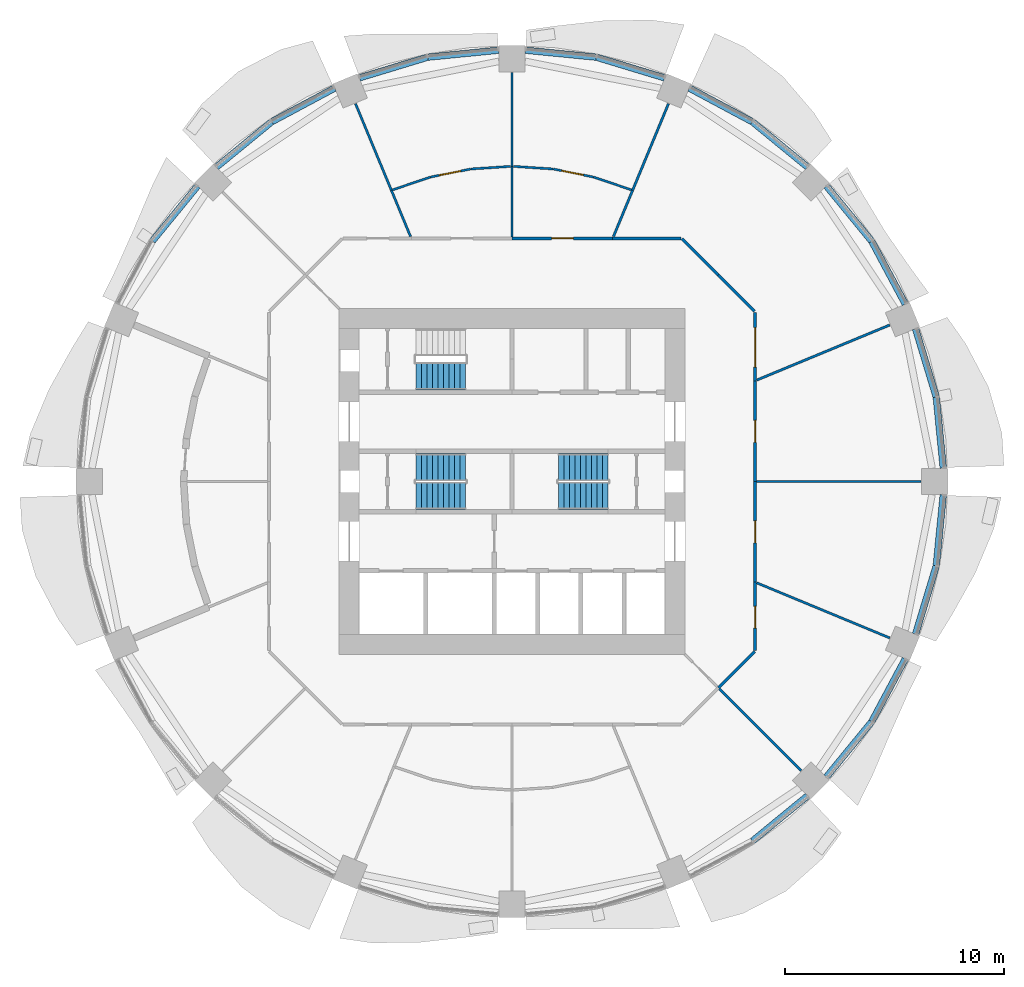
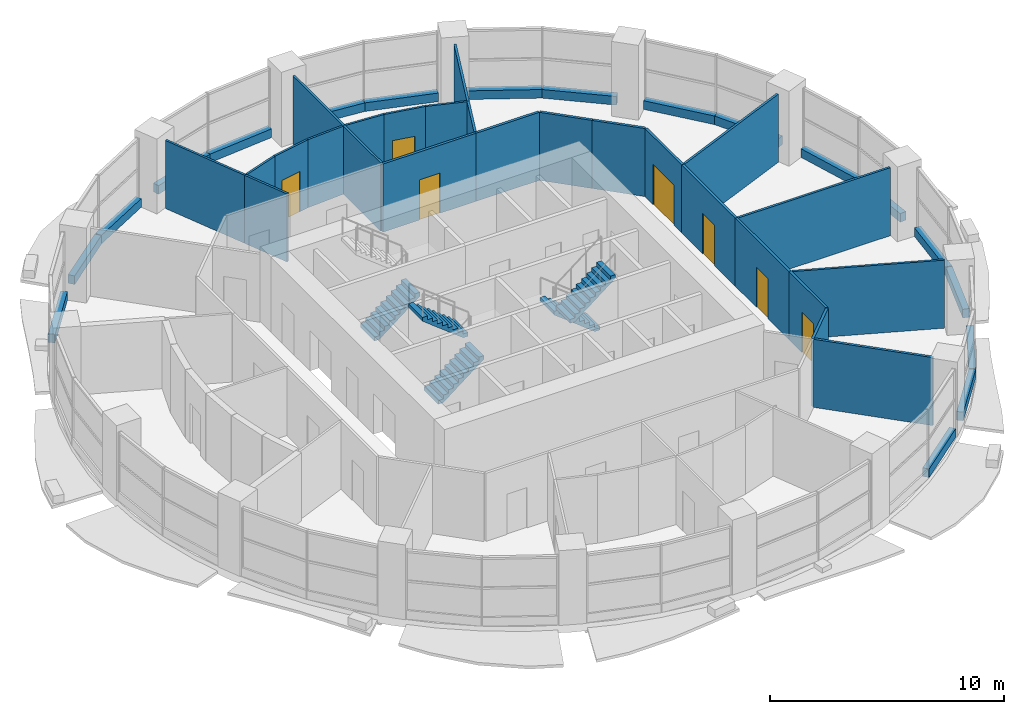
# One storey, part 10 of 15: 43 walls, 7 doors, 5 stair flights, 7 openings, 3 elements without a shape of their own.
"""IFC4 building model written with IfcOpenShell, lengths in metres."""

from ifc_helpers import new_model, si_unit, direction, frame, frame_2d, origin, place, context, subcontext, project, spatial, polyline, rectangle, outline, extrude, material, layer, layer_set, type_object, element, fill, aggregate, save


model = new_model("IFC4")

# Units and contexts
model_context = context("Model", 3, precision=1e-05, world=origin(), true_north=direction((0.0, 1.0)))
body_context = subcontext(model_context, "Body", "Model", "MODEL_VIEW")
ifc_project = project(units=[si_unit("LENGTHUNIT", "METRE"), si_unit("AREAUNIT", "SQUARE_METRE"), si_unit("VOLUMEUNIT", "CUBIC_METRE"), si_unit("PLANEANGLEUNIT", "RADIAN"), si_unit("MASSUNIT", "GRAM", prefix="KILO")], contexts=[model_context])

# Site, building, storey
site_placement = place(None, origin())
site = spatial("IfcSite", under=ifc_project, at=site_placement, CompositionType="ELEMENT")
building_placement = place(site_placement, origin())
building = spatial("IfcBuilding", under=site, at=building_placement, Name="Polderwave Tower", CompositionType="ELEMENT")
storey_placement = place(building_placement, frame((0.0, 0.0, 18.5)))
storey = spatial("IfcBuildingStorey", under=building, at=storey_placement, Name="L04", CompositionType="ELEMENT", Elevation=18.5)

# Walls
ifc_material_1 = material(Name="Concrete C50/60 (board-marked)", Category="concrete")
ifc_layer_1 = layer(ifc_material_1, 0.300048828125)
ifc_layer_set_1 = layer_set([ifc_layer_1], Name="Concrete spandrel upstand C50/60")
wall_type_1 = type_object("IfcWallType", Name="Concrete spandrel upstand C50/60", PredefinedType="SOLIDWALL", material=ifc_layer_set_1)
wall_1_placement = place(storey_placement, frame((19.6494140625, 0.61279296875, 0.0), z_axis=(0.0, 0.0, 1.0), x_axis=(-0.098023145206, 0.995184135225, 0.0)))
element("IfcWall", 1, at=wall_1_placement, inside=storey, type_object=wall_type_1, Name="Spandrel L04 1a", PredefinedType="SOLIDWALL", context=body_context, shape_type="SweptSolid", body=[
    extrude(rectangle(XDim=3.23291015625, YDim=0.300048828125, at=frame_2d((1.616455078125, 0.0))), origin(), (0.0, 0.0, 1.0), 0.449951171875),
])
for number, where, z_axis, x_axis, name in (
    (2, (19.32666015625, 3.859375, 0.0), (0.0, 0.0, 1.0), (-0.290256839806, 0.956948779688, 0.0), "Spandrel L04 1b"),
    (3, (17.9189453125, 8.086181640625, 0.0), (0.0, 0.0, 1.0), (-0.471458300233, 0.881888355259, 0.0), "Spandrel L04 2a"),
):
    element("IfcWall", number, at=place(storey_placement, frame(where, z_axis=z_axis, x_axis=x_axis)), inside=storey, type_object=wall_type_1, Name=name, PredefinedType="SOLIDWALL", context=body_context, shape_type="SweptSolid", body=[
        extrude(rectangle(XDim=3.232421875, YDim=0.300048828125, at=frame_2d((1.6162109375, 0.0))), origin(), (0.0, 0.0, 1.0), 0.449951171875),
    ])
for number, where, z_axis, x_axis, name in (
    (4, (16.37841796875, 10.961669921875, 0.0), (0.0, 0.0, 1.0), (-0.634228631649, 0.773145550849, 0.0), "Spandrel L04 2b"),
    (5, (13.46044921875, 14.32861328125, 0.0), (0.0, 0.0, 1.0), (-0.773145550849, 0.634228631649, 0.0), "Spandrel L04 3a"),
):
    element("IfcWall", number, at=place(storey_placement, frame(where, z_axis=z_axis, x_axis=x_axis)), inside=storey, type_object=wall_type_1, Name=name, PredefinedType="SOLIDWALL", context=body_context, shape_type="SweptSolid", body=[
        extrude(rectangle(XDim=3.23193359375, YDim=0.300048828125, at=frame_2d((1.615966796875, 0.0))), origin(), (0.0, 0.0, 1.0), 0.449951171875),
    ])
for number, where, z_axis, x_axis, name in (
    (6, (10.936767578125, 16.39501953125, 0.0), (0.0, 0.0, 1.0), (-0.881888355259, 0.471458300233, 0.0), "Spandrel L04 3b"),
    (7, (6.95263671875, 18.388427734375, 0.0), (0.0, 0.0, 1.0), (-0.956948779688, 0.290256839806, 0.0), "Spandrel L04 4a"),
):
    element("IfcWall", number, at=place(storey_placement, frame(where, z_axis=z_axis, x_axis=x_axis)), inside=storey, type_object=wall_type_1, Name=name, PredefinedType="SOLIDWALL", context=body_context, shape_type="SweptSolid", body=[
        extrude(rectangle(XDim=3.232421875, YDim=0.300048828125, at=frame_2d((1.6162109375, 0.0))), origin(), (0.0, 0.0, 1.0), 0.449951171875),
    ])
for number, where, z_axis, x_axis, name in (
    (8, (3.830078125, 19.33251953125, 0.0), (0.0, 0.0, 1.0), (-0.995184135225, 0.098023145206, 0.0), "Spandrel L04 4b"),
    (9, (-0.61279296875, 19.6494140625, 0.0), (0.0, 0.0, 1.0), (-0.995184135225, -0.098023145206, 0.0), "Spandrel L04 5a"),
):
    element("IfcWall", number, at=place(storey_placement, frame(where, z_axis=z_axis, x_axis=x_axis)), inside=storey, type_object=wall_type_1, Name=name, PredefinedType="SOLIDWALL", context=body_context, shape_type="SweptSolid", body=[
        extrude(rectangle(XDim=3.23291015625, YDim=0.300048828125, at=frame_2d((1.616455078125, 0.0))), origin(), (0.0, 0.0, 1.0), 0.449951171875),
    ])
for number, where, z_axis, x_axis, name in (
    (10, (-3.859375, 19.32666015625, 0.0), (0.0, 0.0, 1.0), (-0.956948779688, -0.290256839806, 0.0), "Spandrel L04 5b"),
    (11, (-8.086181640625, 17.9189453125, 0.0), (0.0, 0.0, 1.0), (-0.881888355259, -0.471458300233, 0.0), "Spandrel L04 6a"),
):
    element("IfcWall", number, at=place(storey_placement, frame(where, z_axis=z_axis, x_axis=x_axis)), inside=storey, type_object=wall_type_1, Name=name, PredefinedType="SOLIDWALL", context=body_context, shape_type="SweptSolid", body=[
        extrude(rectangle(XDim=3.232421875, YDim=0.300048828125, at=frame_2d((1.6162109375, 0.0))), origin(), (0.0, 0.0, 1.0), 0.449951171875),
    ])
for number, where, z_axis, x_axis, name in (
    (12, (-10.961669921875, 16.37841796875, 0.0), (0.0, 0.0, 1.0), (-0.773145550849, -0.634228631649, 0.0), "Spandrel L04 6b"),
    (13, (-14.32861328125, 13.46044921875, 0.0), (0.0, 0.0, 1.0), (-0.634228631649, -0.773145550849, 0.0), "Spandrel L04 7a"),
    (14, (10.961669921875, -16.37841796875, 0.0), (0.0, 0.0, 1.0), (0.773145550849, 0.634228631649, 0.0), "Spandrel L04 14b"),
    (15, (14.32861328125, -13.46044921875, 0.0), (0.0, 0.0, 1.0), (0.634228631649, 0.773145550849, 0.0), "Spandrel L04 15a"),
):
    element("IfcWall", number, at=place(storey_placement, frame(where, z_axis=z_axis, x_axis=x_axis)), inside=storey, type_object=wall_type_1, Name=name, PredefinedType="SOLIDWALL", context=body_context, shape_type="SweptSolid", body=[
        extrude(rectangle(XDim=3.23193359375, YDim=0.300048828125, at=frame_2d((1.615966796875, 0.0))), origin(), (0.0, 0.0, 1.0), 0.449951171875),
    ])
for number, where, z_axis, x_axis, name in (
    (16, (16.39501953125, -10.936767578125, 0.0), (0.0, 0.0, 1.0), (0.471458300233, 0.881888355259, 0.0), "Spandrel L04 15b"),
    (17, (18.388427734375, -6.95263671875, 0.0), (0.0, 0.0, 1.0), (0.290256839806, 0.956948779688, 0.0), "Spandrel L04 16a"),
):
    element("IfcWall", number, at=place(storey_placement, frame(where, z_axis=z_axis, x_axis=x_axis)), inside=storey, type_object=wall_type_1, Name=name, PredefinedType="SOLIDWALL", context=body_context, shape_type="SweptSolid", body=[
        extrude(rectangle(XDim=3.232421875, YDim=0.300048828125, at=frame_2d((1.6162109375, 0.0))), origin(), (0.0, 0.0, 1.0), 0.449951171875),
    ])
wall_2_placement = place(storey_placement, frame((19.33251953125, -3.830078125, 0.0), z_axis=(0.0, 0.0, 1.0), x_axis=(0.098023145206, 0.995184135225, 0.0)))
element("IfcWall", 18, at=wall_2_placement, inside=storey, type_object=wall_type_1, Name="Spandrel L04 16b", PredefinedType="SOLIDWALL", context=body_context, shape_type="SweptSolid", body=[
    extrude(rectangle(XDim=3.23291015625, YDim=0.300048828125, at=frame_2d((1.616455078125, 0.0))), origin(), (0.0, 0.0, 1.0), 0.449951171875),
])

# Wall, opening, door
ifc_material_2 = material(Name="Fire-resisting board on steel studs", Category="steel")
ifc_layer_2 = layer(ifc_material_2, 0.125)
ifc_layer_set_2 = layer_set([ifc_layer_2], Name="Corridor wall 125 mm EI 60")
wall_type_2 = type_object("IfcWallType", Name="Corridor wall 125 mm EI 60", PredefinedType="PARTITIONING", material=ifc_layer_set_2)
wall_3_placement = place(storey_placement, frame((11.073974609375, 4.5869140625, 0.0), z_axis=(0.0, 0.0, 1.0), x_axis=(0.0, -1.0, 0.0)))
wall_3 = element("IfcWall", 19, at=wall_3_placement, inside=storey, type_object=wall_type_2, Name="IN-L04-W002", PredefinedType="PARTITIONING", context=body_context, shape_type="SweptSolid", body=[
    extrude(rectangle(XDim=4.5869140625, YDim=0.125, at=frame_2d((2.29345703125, 0.0))), origin(), (0.0, 0.0, 1.0), 3.550048828125),
])
opening_1_placement = place(wall_3_placement, frame((1.800048828125, 0.0, 0.0)))
opening_1 = element("IfcOpeningElement", 20, at=opening_1_placement, cuts=wall_3, Name="Opening L04-D51", PredefinedType="OPENING", context=body_context, shape_type="SweptSolid", body=[
    extrude(rectangle(XDim=1.0, YDim=2.10009765625, at=frame_2d((0.5, 1.050048828125))), frame((0.0, 0.072509765625, 0.0), z_axis=(0.0, -1.0, 0.0), x_axis=(1.0, 0.0, 0.0)), (0.0, 0.0, 1.0), 0.14501953125),
])
ifc_material_3 = material(Name="Timber fire door leaf", Category="wood")
door_type_1 = type_object("IfcDoorType", Name="Fire door FD30S 1000 x 2100", OperationType="NOTDEFINED", PredefinedType="DOOR", material=ifc_material_3)
door_1_placement = place(opening_1_placement, origin())
door_1 = element("IfcDoor", 21, at=door_1_placement, inside=storey, type_object=door_type_1, Name="Door L04-D51", OperationType="SINGLE_SWING_RIGHT", OverallHeight=2.10009765625, OverallWidth=1.0, PredefinedType="DOOR", context=body_context, shape_type="SweptSolid", body=[
    extrude(rectangle(XDim=1.0, YDim=2.10009765625, at=frame_2d((0.5, 1.050048828125))), frame((0.0, 0.02490234375, 0.0), z_axis=(0.0, -1.0, 0.0), x_axis=(1.0, 0.0, 0.0)), (0.0, 0.0, 1.0), 0.050048828125),
])
fill(opening_1, door_1)

# Wall
wall_4_placement = place(storey_placement, frame((9.404541015625, 9.404541015625, 0.0), z_axis=(0.0, 0.0, 1.0), x_axis=(0.707106781187, -0.707106781187, 0.0)))
element("IfcWall", 22, at=wall_4_placement, inside=storey, type_object=wall_type_2, Name="IN-L04-W003", PredefinedType="PARTITIONING", context=body_context, shape_type="SweptSolid", body=[
    extrude(rectangle(XDim=2.3349609375, YDim=0.125, at=frame_2d((1.16748046875, 0.0))), origin(), (0.0, 0.0, 1.0), 3.550048828125),
])

# Wall, opening, door
wall_5_placement = place(storey_placement, frame((11.073974609375, 7.708984375, 0.0), z_axis=(0.0, 0.0, 1.0), x_axis=(0.0, -1.0, 0.0)))
wall_5 = element("IfcWall", 23, at=wall_5_placement, inside=storey, type_object=wall_type_2, Name="IN-L04-W004", PredefinedType="PARTITIONING", context=body_context, shape_type="SweptSolid", body=[
    extrude(rectangle(XDim=3.1220703125, YDim=0.125, at=frame_2d((1.56103515625, 0.0))), origin(), (0.0, 0.0, 1.0), 3.550048828125),
])
opening_2_placement = place(wall_5_placement, frame((0.699951171875, 0.0, 0.0)))
opening_2 = element("IfcOpeningElement", 24, at=opening_2_placement, cuts=wall_5, Name="Opening L04-D52", PredefinedType="OPENING", context=body_context, shape_type="SweptSolid", body=[
    extrude(rectangle(XDim=1.800048828125, YDim=2.10009765625, at=frame_2d((0.89990234375, 1.050048828125))), frame((0.0, 0.072509765625, 0.0), z_axis=(0.0, -1.0, 0.0), x_axis=(1.0, 0.0, 0.0)), (0.0, 0.0, 1.0), 0.14501953125),
])
ifc_material_4 = material(Name="Timber fire door leaves", Category="wood")
door_type_2 = type_object("IfcDoorType", Name="Double fire door FD30S 1800 x 2100", OperationType="NOTDEFINED", PredefinedType="DOOR", material=ifc_material_4)
door_2_placement = place(opening_2_placement, origin())
door_2 = element("IfcDoor", 25, at=door_2_placement, inside=storey, type_object=door_type_2, Name="Door L04-D52", OperationType="DOUBLE_DOOR_SINGLE_SWING", OverallHeight=2.10009765625, OverallWidth=1.800048828125, PredefinedType="DOOR", context=body_context, shape_type="SweptSolid", body=[
    extrude(rectangle(XDim=1.800048828125, YDim=2.10009765625, at=frame_2d((0.89990234375, 1.050048828125))), frame((0.0, 0.02490234375, 0.0), z_axis=(0.0, -1.0, 0.0), x_axis=(1.0, 0.0, 0.0)), (0.0, 0.0, 1.0), 0.050048828125),
])
fill(opening_2, door_2)

# Wall
wall_6_placement = place(storey_placement, frame((11.0556640625, -7.75341796875, 0.0), z_axis=(0.0, 0.0, 1.0), x_axis=(-0.707106781187, -0.707106781187, 0.0)))
element("IfcWall", 26, at=wall_6_placement, inside=storey, type_object=wall_type_2, Name="IN-L04-W005", PredefinedType="PARTITIONING", context=body_context, shape_type="SweptSolid", body=[
    extrude(rectangle(XDim=2.3349609375, YDim=0.125, at=frame_2d((1.16748046875, 0.0))), origin(), (0.0, 0.0, 1.0), 3.550048828125),
])

# Wall, opening, door
wall_7_placement = place(storey_placement, frame((11.073974609375, -4.5869140625, 0.0), z_axis=(0.0, 0.0, 1.0), x_axis=(0.0, -1.0, 0.0)))
wall_7 = element("IfcWall", 27, at=wall_7_placement, inside=storey, type_object=wall_type_2, Name="IN-L04-W006", PredefinedType="PARTITIONING", context=body_context, shape_type="SweptSolid", body=[
    extrude(rectangle(XDim=3.1220703125, YDim=0.125, at=frame_2d((1.56103515625, 0.0))), origin(), (0.0, 0.0, 1.0), 3.550048828125),
])
opening_3_placement = place(wall_7_placement, frame((1.10009765625, 0.0, 0.0)))
opening_3 = element("IfcOpeningElement", 28, at=opening_3_placement, cuts=wall_7, Name="Opening L04-D53", PredefinedType="OPENING", context=body_context, shape_type="SweptSolid", body=[
    extrude(rectangle(XDim=1.0, YDim=2.10009765625, at=frame_2d((0.5, 1.050048828125))), frame((0.0, 0.072509765625, 0.0), z_axis=(0.0, -1.0, 0.0), x_axis=(1.0, 0.0, 0.0)), (0.0, 0.0, 1.0), 0.14501953125),
])
door_3_placement = place(opening_3_placement, origin())
door_3 = element("IfcDoor", 29, at=door_3_placement, inside=storey, type_object=door_type_1, Name="Door L04-D53", OperationType="SINGLE_SWING_RIGHT", OverallHeight=2.10009765625, OverallWidth=1.0, PredefinedType="DOOR", context=body_context, shape_type="SweptSolid", body=[
    extrude(rectangle(XDim=1.0, YDim=2.10009765625, at=frame_2d((0.5, 1.050048828125))), frame((0.0, 0.02490234375, 0.0), z_axis=(0.0, -1.0, 0.0), x_axis=(1.0, 0.0, 0.0)), (0.0, 0.0, 1.0), 0.050048828125),
])
fill(opening_3, door_3)

wall_8_placement = place(storey_placement, frame((11.073974609375, 0.0, 0.0), z_axis=(0.0, 0.0, 1.0), x_axis=(0.0, -1.0, 0.0)))
wall_8 = element("IfcWall", 30, at=wall_8_placement, inside=storey, type_object=wall_type_2, Name="IN-L04-W007", PredefinedType="PARTITIONING", context=body_context, shape_type="SweptSolid", body=[
    extrude(rectangle(XDim=4.5869140625, YDim=0.125, at=frame_2d((2.29345703125, 0.0))), origin(), (0.0, 0.0, 1.0), 3.550048828125),
])
opening_4_placement = place(wall_8_placement, frame((1.800048828125, 0.0, 0.0)))
opening_4 = element("IfcOpeningElement", 31, at=opening_4_placement, cuts=wall_8, Name="Opening L04-D54", PredefinedType="OPENING", context=body_context, shape_type="SweptSolid", body=[
    extrude(rectangle(XDim=1.0, YDim=2.10009765625, at=frame_2d((0.5, 1.050048828125))), frame((0.0, 0.072509765625, 0.0), z_axis=(0.0, -1.0, 0.0), x_axis=(1.0, 0.0, 0.0)), (0.0, 0.0, 1.0), 0.14501953125),
])
door_4_placement = place(opening_4_placement, origin())
door_4 = element("IfcDoor", 32, at=door_4_placement, inside=storey, type_object=door_type_1, Name="Door L04-D54", OperationType="SINGLE_SWING_RIGHT", OverallHeight=2.10009765625, OverallWidth=1.0, PredefinedType="DOOR", context=body_context, shape_type="SweptSolid", body=[
    extrude(rectangle(XDim=1.0, YDim=2.10009765625, at=frame_2d((0.5, 1.050048828125))), frame((0.0, 0.02490234375, 0.0), z_axis=(0.0, -1.0, 0.0), x_axis=(1.0, 0.0, 0.0)), (0.0, 0.0, 1.0), 0.050048828125),
])
fill(opening_4, door_4)

# Walls
wall_9_placement = place(storey_placement, frame((4.5869140625, 11.073974609375, 0.0), z_axis=(0.0, 0.0, 1.0), x_axis=(1.0, 0.0, 0.0)))
element("IfcWall", 33, at=wall_9_placement, inside=storey, type_object=wall_type_2, Name="IN-L04-W009", PredefinedType="PARTITIONING", context=body_context, shape_type="SweptSolid", body=[
    extrude(rectangle(XDim=3.1220703125, YDim=0.125, at=frame_2d((1.56103515625, 0.0))), origin(), (0.0, 0.0, 1.0), 3.550048828125),
])
wall_10_placement = place(storey_placement, frame((7.75341796875, 11.0556640625, 0.0), z_axis=(0.0, 0.0, 1.0), x_axis=(0.707106781187, -0.707106781187, 0.0)))
element("IfcWall", 34, at=wall_10_placement, inside=storey, type_object=wall_type_2, Name="IN-L04-W010", PredefinedType="PARTITIONING", context=body_context, shape_type="SweptSolid", body=[
    extrude(rectangle(XDim=2.3349609375, YDim=0.125, at=frame_2d((1.16748046875, 0.0))), origin(), (0.0, 0.0, 1.0), 3.550048828125),
])

# Wall, opening, door
wall_11_placement = place(storey_placement, frame((0.0, 11.073974609375, 0.0), z_axis=(0.0, 0.0, 1.0), x_axis=(1.0, 0.0, 0.0)))
wall_11 = element("IfcWall", 35, at=wall_11_placement, inside=storey, type_object=wall_type_2, Name="IN-L04-W011", PredefinedType="PARTITIONING", context=body_context, shape_type="SweptSolid", body=[
    extrude(rectangle(XDim=4.5869140625, YDim=0.125, at=frame_2d((2.29345703125, 0.0))), origin(), (0.0, 0.0, 1.0), 3.550048828125),
])
opening_5_placement = place(wall_11_placement, frame((1.800048828125, 0.0, 0.0)))
opening_5 = element("IfcOpeningElement", 36, at=opening_5_placement, cuts=wall_11, Name="Opening L04-D56", PredefinedType="OPENING", context=body_context, shape_type="SweptSolid", body=[
    extrude(rectangle(XDim=1.0, YDim=2.10009765625, at=frame_2d((0.5, 1.050048828125))), frame((0.0, 0.072509765625, 0.0), z_axis=(0.0, -1.0, 0.0), x_axis=(1.0, 0.0, 0.0)), (0.0, 0.0, 1.0), 0.14501953125),
])
door_5_placement = place(opening_5_placement, origin())
door_5 = element("IfcDoor", 37, at=door_5_placement, inside=storey, type_object=door_type_1, Name="Door L04-D56", OperationType="SINGLE_SWING_RIGHT", OverallHeight=2.10009765625, OverallWidth=1.0, PredefinedType="DOOR", context=body_context, shape_type="SweptSolid", body=[
    extrude(rectangle(XDim=1.0, YDim=2.10009765625, at=frame_2d((0.5, 1.050048828125))), frame((0.0, 0.02490234375, 0.0), z_axis=(0.0, -1.0, 0.0), x_axis=(1.0, 0.0, 0.0)), (0.0, 0.0, 1.0), 0.050048828125),
])
fill(opening_5, door_5)

# Walls
wall_12_placement = place(storey_placement, frame((9.44873046875, -9.44873046875, 0.0), z_axis=(0.0, 0.0, 1.0), x_axis=(0.707106781187, -0.707106781187, 0.0)))
element("IfcWall", 38, at=wall_12_placement, inside=storey, type_object=wall_type_2, Name="IN-L04-W066", PredefinedType="PARTITIONING", context=body_context, shape_type="SweptSolid", body=[
    extrude(rectangle(XDim=5.267333984375, YDim=0.125, at=frame_2d((2.6337890625, 0.0))), origin(), (0.0, 0.0, 1.0), 3.550048828125),
])
ifc_material_5 = material(Name="Plasterboard on steel studs", Category="steel")
ifc_layer_3 = layer(ifc_material_5, 0.10009765625)
ifc_layer_set_3 = layer_set([ifc_layer_3], Name="Partition 100 mm plasterboard on steel studs")
wall_type_3 = type_object("IfcWallType", Name="Partition 100 mm plasterboard on steel studs", PredefinedType="PARTITIONING", material=ifc_layer_set_3)
wall_13_placement = place(storey_placement, frame((0.058349609375, 14.356201171875, 0.0), z_axis=(0.0, 0.0, 1.0), x_axis=(0.997855941986, -0.065448598484, 0.0)))
element("IfcWall", 39, at=wall_13_placement, inside=storey, type_object=wall_type_3, Name="IN-L04-W031", PredefinedType="PARTITIONING", context=body_context, shape_type="SweptSolid", body=[
    extrude(rectangle(XDim=1.816650390625, YDim=0.10009765625, at=frame_2d((0.908203125, 0.0))), origin(), (0.0, 0.0, 1.0), 3.550048828125),
])

# Wall, opening, door
wall_14_placement = place(storey_placement, frame((1.877685546875, 14.236572265625, 0.0), z_axis=(0.0, 0.0, 1.0), x_axis=(0.98077584718, -0.195137740043, 0.0)))
wall_14 = element("IfcWall", 40, at=wall_14_placement, inside=storey, type_object=wall_type_3, Name="IN-L04-W032", PredefinedType="PARTITIONING", context=body_context, shape_type="SweptSolid", body=[
    extrude(rectangle(XDim=1.87158203125, YDim=0.10009765625, at=frame_2d((0.935791015625, 0.0))), origin(), (0.0, 0.0, 1.0), 3.550048828125),
])
opening_6_placement = place(wall_14_placement, frame((0.39990234375, 0.0, 0.0)))
opening_6 = element("IfcOpeningElement", 41, at=opening_6_placement, cuts=wall_14, Name="Opening L04-D67", PredefinedType="OPENING", context=body_context, shape_type="SweptSolid", body=[
    extrude(rectangle(XDim=1.0, YDim=2.10009765625, at=frame_2d((0.5, 1.050048828125))), frame((0.0, 0.06005859375, 0.0), z_axis=(0.0, -1.0, 0.0), x_axis=(1.0, 0.0, 0.0)), (0.0, 0.0, 1.0), 0.1201171875),
])
ifc_material_6 = material(Name="Timber veneer door leaf", Category="wood")
door_type_3 = type_object("IfcDoorType", Name="Single door 1000 x 2100", OperationType="NOTDEFINED", PredefinedType="DOOR", material=ifc_material_6)
door_6_placement = place(opening_6_placement, origin())
door_6 = element("IfcDoor", 42, at=door_6_placement, inside=storey, type_object=door_type_3, Name="Door L04-D67", OperationType="SINGLE_SWING_LEFT", OverallHeight=2.10009765625, OverallWidth=1.0, PredefinedType="DOOR", context=body_context, shape_type="SweptSolid", body=[
    extrude(rectangle(XDim=1.0, YDim=2.10009765625, at=frame_2d((0.5, 1.050048828125))), frame((0.0, 0.02490234375, 0.0), z_axis=(0.0, -1.0, 0.0), x_axis=(1.0, 0.0, 0.0)), (0.0, 0.0, 1.0), 0.050048828125),
])
fill(opening_6, door_6)

# Walls
wall_15_placement = place(storey_placement, frame((3.7197265625, 13.86962890625, 0.0), z_axis=(0.0, 0.0, 1.0), x_axis=(0.946921731465, -0.32146420404, 0.0)))
element("IfcWall", 43, at=wall_15_placement, inside=storey, type_object=wall_type_3, Name="IN-L04-W033", PredefinedType="PARTITIONING", context=body_context, shape_type="SweptSolid", body=[
    extrude(rectangle(XDim=1.816650390625, YDim=0.10009765625, at=frame_2d((0.908203125, 0.0))), origin(), (0.0, 0.0, 1.0), 3.550048828125),
])
wall_16_placement = place(storey_placement, frame((-5.4423828125, 13.284912109375, 0.0), z_axis=(0.0, 0.0, 1.0), x_axis=(0.946937859892, 0.321416691389, 0.0)))
element("IfcWall", 44, at=wall_16_placement, inside=storey, type_object=wall_type_3, Name="IN-L04-W036", PredefinedType="PARTITIONING", context=body_context, shape_type="SweptSolid", body=[
    extrude(rectangle(XDim=1.819091796875, YDim=0.10009765625, at=frame_2d((0.90966796875, 0.0))), origin(), (0.0, 0.0, 1.0), 3.550048828125),
])

# Wall, opening, door
wall_17_placement = place(storey_placement, frame((-3.71337890625, 13.871337890625, 0.0), z_axis=(0.0, 0.0, 1.0), x_axis=(0.98077584718, 0.195137740043, 0.0)))
wall_17 = element("IfcWall", 45, at=wall_17_placement, inside=storey, type_object=wall_type_3, Name="IN-L04-W037", PredefinedType="PARTITIONING", context=body_context, shape_type="SweptSolid", body=[
    extrude(rectangle(XDim=1.87158203125, YDim=0.10009765625, at=frame_2d((0.935791015625, 0.0))), origin(), (0.0, 0.0, 1.0), 3.550048828125),
])
opening_7_placement = place(wall_17_placement, frame((0.39990234375, 0.0, 0.0)))
opening_7 = element("IfcOpeningElement", 46, at=opening_7_placement, cuts=wall_17, Name="Opening L04-D68", PredefinedType="OPENING", context=body_context, shape_type="SweptSolid", body=[
    extrude(rectangle(XDim=1.0, YDim=2.10009765625, at=frame_2d((0.5, 1.050048828125))), frame((0.0, 0.06005859375, 0.0), z_axis=(0.0, -1.0, 0.0), x_axis=(1.0, 0.0, 0.0)), (0.0, 0.0, 1.0), 0.1201171875),
])
door_7_placement = place(opening_7_placement, origin())
door_7 = element("IfcDoor", 47, at=door_7_placement, inside=storey, type_object=door_type_3, Name="Door L04-D68", OperationType="SINGLE_SWING_LEFT", OverallHeight=2.10009765625, OverallWidth=1.0, PredefinedType="DOOR", context=body_context, shape_type="SweptSolid", body=[
    extrude(rectangle(XDim=1.0, YDim=2.10009765625, at=frame_2d((0.5, 1.050048828125))), frame((0.0, 0.02490234375, 0.0), z_axis=(0.0, -1.0, 0.0), x_axis=(1.0, 0.0, 0.0)), (0.0, 0.0, 1.0), 0.050048828125),
])
fill(opening_7, door_7)

# Walls
wall_18_placement = place(storey_placement, frame((-1.87109375, 14.2373046875, 0.0), z_axis=(0.0, 0.0, 1.0), x_axis=(0.997855941986, 0.065448598484, 0.0)))
element("IfcWall", 48, at=wall_18_placement, inside=storey, type_object=wall_type_3, Name="IN-L04-W038", PredefinedType="PARTITIONING", context=body_context, shape_type="SweptSolid", body=[
    extrude(rectangle(XDim=1.816650390625, YDim=0.10009765625, at=frame_2d((0.908203125, 0.0))), origin(), (0.0, 0.0, 1.0), 3.550048828125),
])
ifc_material_7 = material(Name="Moisture-resistant board on steel studs, tiled", Category="steel")
ifc_layer_4 = layer(ifc_material_7, 0.10498046875)
ifc_layer_set_4 = layer_set([ifc_layer_4], Name="Partition 105 mm wet room board and tile")
wall_type_4 = type_object("IfcWallType", Name="Partition 105 mm wet room board and tile", PredefinedType="PARTITIONING", material=ifc_layer_set_4)
wall_19_placement = place(storey_placement, frame((-4.62109375, 11.156494140625, 0.0), z_axis=(0.0, 0.0, 1.0), x_axis=(-0.382732508738, 0.923859202885, 0.0)))
element("IfcWall", 49, at=wall_19_placement, inside=storey, type_object=wall_type_4, Name="IN-L04-W039", PredefinedType="PARTITIONING", context=body_context, shape_type="SweptSolid", body=[
    extrude(rectangle(XDim=2.2841796875, YDim=0.10498046875, at=frame_2d((1.14208984375, 0.0))), origin(), (0.0, 0.0, 1.0), 3.550048828125),
])
wall_20_placement = place(storey_placement, frame((-5.495361328125, 13.266845703125, 0.0), z_axis=(0.0, 0.0, 1.0), x_axis=(-0.382669916503, 0.923885130849, 0.0)))
element("IfcWall", 50, at=wall_20_placement, inside=storey, type_object=wall_type_4, Name="IN-L04-W040", PredefinedType="PARTITIONING", context=body_context, shape_type="SweptSolid", body=[
    extrude(rectangle(XDim=4.27001953125, YDim=0.10498046875, at=frame_2d((2.135009765625, 0.0))), origin(), (0.0, 0.0, 1.0), 3.550048828125),
])
wall_21_placement = place(storey_placement, frame((11.156494140625, -4.62109375, 0.0), z_axis=(0.0, 0.0, 1.0), x_axis=(0.923876095108, -0.382691730885, 0.0)))
element("IfcWall", 51, at=wall_21_placement, inside=storey, type_object=wall_type_4, Name="IN-L04-W067", PredefinedType="PARTITIONING", context=body_context, shape_type="SweptSolid", body=[
    extrude(rectangle(XDim=6.554443359375, YDim=0.10498046875, at=frame_2d((3.27734375, 0.0))), origin(), (0.0, 0.0, 1.0), 3.550048828125),
])
ifc_material_8 = material(Name="Acoustic double plasterboard on steel studs", Category="steel")
ifc_layer_5 = layer(ifc_material_8, 0.110107421875)
ifc_layer_set_5 = layer_set([ifc_layer_5], Name="Partition 110 mm acoustic double board")
wall_type_5 = type_object("IfcWallType", Name="Partition 110 mm acoustic double board", PredefinedType="PARTITIONING", material=ifc_layer_set_5)
wall_22_placement = place(storey_placement, frame((11.157470703125, 4.62158203125, 0.0), z_axis=(0.0, 0.0, 1.0), x_axis=(0.92388061433, 0.382680820614, 0.0)))
element("IfcWall", 52, at=wall_22_placement, inside=storey, type_object=wall_type_5, Name="IN-L04-W027", PredefinedType="PARTITIONING", context=body_context, shape_type="SweptSolid", body=[
    extrude(rectangle(XDim=6.55322265625, YDim=0.110107421875, at=frame_2d((3.276611328125, 0.0))), origin(), (0.0, 0.0, 1.0), 3.550048828125),
])
wall_23_placement = place(storey_placement, frame((18.6298828125, 0.0, 0.0), z_axis=(0.0, 0.0, 1.0), x_axis=(-1.0, 0.0, 0.0)))
element("IfcWall", 53, at=wall_23_placement, inside=storey, type_object=wall_type_5, Name="IN-L04-W028", PredefinedType="PARTITIONING", context=body_context, shape_type="SweptSolid", body=[
    extrude(rectangle(XDim=7.493408203125, YDim=0.110107421875, at=frame_2d((3.74658203125, 0.0))), origin(), (0.0, 0.0, 1.0), 3.550048828125),
])
wall_24_placement = place(storey_placement, frame((4.62158203125, 11.157470703125, 0.0), z_axis=(0.0, 0.0, 1.0), x_axis=(0.382701213648, 0.923872167062, 0.0)))
element("IfcWall", 54, at=wall_24_placement, inside=storey, type_object=wall_type_5, Name="IN-L04-W029", PredefinedType="PARTITIONING", context=body_context, shape_type="SweptSolid", body=[
    extrude(rectangle(XDim=2.283203125, YDim=0.110107421875, at=frame_2d((1.1416015625, 0.0))), origin(), (0.0, 0.0, 1.0), 3.550048828125),
])
wall_25_placement = place(storey_placement, frame((5.495361328125, 13.266845703125, 0.0), z_axis=(0.0, 0.0, 1.0), x_axis=(0.382669916503, 0.923885130849, 0.0)))
element("IfcWall", 55, at=wall_25_placement, inside=storey, type_object=wall_type_5, Name="IN-L04-W030", PredefinedType="PARTITIONING", context=body_context, shape_type="SweptSolid", body=[
    extrude(rectangle(XDim=4.27001953125, YDim=0.110107421875, at=frame_2d((2.135009765625, 0.0))), origin(), (0.0, 0.0, 1.0), 3.550048828125),
])
wall_26_placement = place(storey_placement, frame((0.0, 11.136474609375, 0.0), z_axis=(0.0, 0.0, 1.0), x_axis=(0.0, 1.0, 0.0)))
element("IfcWall", 56, at=wall_26_placement, inside=storey, type_object=wall_type_5, Name="IN-L04-W034", PredefinedType="PARTITIONING", context=body_context, shape_type="SweptSolid", body=[
    extrude(rectangle(XDim=3.2236328125, YDim=0.110107421875, at=frame_2d((1.61181640625, 0.0))), origin(), (0.0, 0.0, 1.0), 3.550048828125),
])
wall_27_placement = place(storey_placement, frame((0.0, 14.360107421875, 0.0), z_axis=(0.0, 0.0, 1.0), x_axis=(0.0, 1.0, 0.0)))
element("IfcWall", 57, at=wall_27_placement, inside=storey, type_object=wall_type_5, Name="IN-L04-W035", PredefinedType="PARTITIONING", context=body_context, shape_type="SweptSolid", body=[
    extrude(rectangle(XDim=4.269775390625, YDim=0.110107421875, at=frame_2d((2.134765625, 0.0))), origin(), (0.0, 0.0, 1.0), 3.550048828125),
])

# Stair, stair flights
ifc_material_9 = material(Name="Concrete C40/50", Category="concrete")
stair_type = type_object("IfcStairType", Name="Exit stair 1200 x 20 risers", PredefinedType="HALF_TURN_STAIR", material=ifc_material_9)
stair_1_placement = place(storey_placement, origin())
stair_1 = element("IfcStair", 58, at=stair_1_placement, inside=storey, type_object=stair_type, Name="L04 Exit stair A", PredefinedType="HALF_TURN_STAIR")
stair_flight_type = type_object("IfcStairFlightType", Name="Stair flight 1200", PredefinedType="STRAIGHT", material=ifc_material_9)
stair_flight_1_placement = place(storey_placement, frame((-4.3740234375, -0.675048828125, 0.0), z_axis=(0.0, 0.0, 1.0), x_axis=(1.0, 0.0, 0.0)))
stair_flight_1 = element("IfcStairFlight", 59, at=stair_flight_1_placement, type_object=stair_flight_type, Name="ST-A flight 1", NumberOfRisers=10, NumberOfTreads=9, PredefinedType="STRAIGHT", RiserHeight=0.195, TreadLength=0.25, context=body_context, shape_type="SweptSolid", body=[
    extrude(outline(polyline([(0.0, 0.0), (0.0, 0.195068359375), (0.25, 0.195068359375), (0.25, 0.389892578125), (0.5, 0.389892578125), (0.5, 0.5849609375), (0.75, 0.5849609375), (0.75, 0.780029296875), (1.0, 0.780029296875), (1.0, 0.97509765625), (1.25, 0.97509765625), (1.25, 1.169921875), (1.5, 1.169921875), (1.5, 1.364990234375), (1.75, 1.364990234375), (1.75, 1.56005859375), (2.0, 1.56005859375), (2.0, 1.7548828125), (2.25, 1.7548828125), (2.25, 1.949951171875), (2.25, 1.56494140625), (0.24365234375, 0.0), (0.0, 0.0)])), frame((0.0, 0.60009765625, 0.0), z_axis=(0.0, -1.0, 0.0), x_axis=(1.0, 0.0, 0.0)), (0.0, 0.0, 1.0), 1.199951171875),
])
stair_flight_2_placement = place(storey_placement, frame((-2.1240234375, 0.675048828125, 1.949951171875), z_axis=(0.0, 0.0, 1.0), x_axis=(-1.0, 0.0, 0.0)))
stair_flight_2 = element("IfcStairFlight", 60, at=stair_flight_2_placement, type_object=stair_flight_type, Name="ST-A flight 2", NumberOfRisers=10, NumberOfTreads=9, PredefinedType="STRAIGHT", RiserHeight=0.195, TreadLength=0.25, context=body_context, shape_type="SweptSolid", body=[
    extrude(outline(polyline([(0.0, 0.0), (0.0, 0.195068359375), (0.25, 0.195068359375), (0.25, 0.389892578125), (0.5, 0.389892578125), (0.5, 0.5849609375), (0.75, 0.5849609375), (0.75, 0.780029296875), (1.0, 0.780029296875), (1.0, 0.97509765625), (1.25, 0.97509765625), (1.25, 1.169921875), (1.5, 1.169921875), (1.5, 1.364990234375), (1.75, 1.364990234375), (1.75, 1.56005859375), (2.0, 1.56005859375), (2.0, 1.7548828125), (2.25, 1.7548828125), (2.25, 1.949951171875), (2.25, 1.56494140625), (0.24365234375, 0.0), (0.0, 0.0)])), frame((0.0, 0.60009765625, 0.0), z_axis=(0.0, -1.0, 0.0), x_axis=(1.0, 0.0, 0.0)), (0.0, 0.0, 1.0), 1.199951171875),
])
aggregate(stair_1, [stair_flight_1, stair_flight_2])

stair_2_placement = place(storey_placement, origin())
stair_2 = element("IfcStair", 61, at=stair_2_placement, inside=storey, type_object=stair_type, Name="L04 Exit stair B", PredefinedType="HALF_TURN_STAIR")
stair_flight_3_placement = place(storey_placement, frame((4.3740234375, 0.675048828125, 0.0), z_axis=(0.0, 0.0, 1.0), x_axis=(-1.0, 0.0, 0.0)))
stair_flight_3 = element("IfcStairFlight", 62, at=stair_flight_3_placement, type_object=stair_flight_type, Name="ST-B flight 1", NumberOfRisers=10, NumberOfTreads=9, PredefinedType="STRAIGHT", RiserHeight=0.195, TreadLength=0.25, context=body_context, shape_type="SweptSolid", body=[
    extrude(outline(polyline([(0.0, 0.0), (0.0, 0.195068359375), (0.25, 0.195068359375), (0.25, 0.389892578125), (0.5, 0.389892578125), (0.5, 0.5849609375), (0.75, 0.5849609375), (0.75, 0.780029296875), (1.0, 0.780029296875), (1.0, 0.97509765625), (1.25, 0.97509765625), (1.25, 1.169921875), (1.5, 1.169921875), (1.5, 1.364990234375), (1.75, 1.364990234375), (1.75, 1.56005859375), (2.0, 1.56005859375), (2.0, 1.7548828125), (2.25, 1.7548828125), (2.25, 1.949951171875), (2.25, 1.56494140625), (0.24365234375, 0.0), (0.0, 0.0)])), frame((0.0, 0.60009765625, 0.0), z_axis=(0.0, -1.0, 0.0), x_axis=(1.0, 0.0, 0.0)), (0.0, 0.0, 1.0), 1.199951171875),
])
stair_flight_4_placement = place(storey_placement, frame((2.1240234375, -0.675048828125, 1.949951171875), z_axis=(0.0, 0.0, 1.0), x_axis=(1.0, 0.0, 0.0)))
stair_flight_4 = element("IfcStairFlight", 63, at=stair_flight_4_placement, type_object=stair_flight_type, Name="ST-B flight 2", NumberOfRisers=10, NumberOfTreads=9, PredefinedType="STRAIGHT", RiserHeight=0.195, TreadLength=0.25, context=body_context, shape_type="SweptSolid", body=[
    extrude(outline(polyline([(0.0, 0.0), (0.0, 0.195068359375), (0.25, 0.195068359375), (0.25, 0.389892578125), (0.5, 0.389892578125), (0.5, 0.5849609375), (0.75, 0.5849609375), (0.75, 0.780029296875), (1.0, 0.780029296875), (1.0, 0.97509765625), (1.25, 0.97509765625), (1.25, 1.169921875), (1.5, 1.169921875), (1.5, 1.364990234375), (1.75, 1.364990234375), (1.75, 1.56005859375), (2.0, 1.56005859375), (2.0, 1.7548828125), (2.25, 1.7548828125), (2.25, 1.949951171875), (2.25, 1.56494140625), (0.24365234375, 0.0), (0.0, 0.0)])), frame((0.0, 0.60009765625, 0.0), z_axis=(0.0, -1.0, 0.0), x_axis=(1.0, 0.0, 0.0)), (0.0, 0.0, 1.0), 1.199951171875),
])
aggregate(stair_2, [stair_flight_3, stair_flight_4])

# Stair, stair flight
stair_3_placement = place(storey_placement, origin())
stair_3 = element("IfcStair", 64, at=stair_3_placement, inside=storey, type_object=stair_type, Name="L04 Exit stair C", PredefinedType="HALF_TURN_STAIR")
stair_flight_5_placement = place(storey_placement, frame((-4.3740234375, 4.77392578125, 0.0), z_axis=(0.0, 0.0, 1.0), x_axis=(1.0, 0.0, 0.0)))
stair_flight_5 = element("IfcStairFlight", 65, at=stair_flight_5_placement, type_object=stair_flight_type, Name="ST-C flight 1", NumberOfRisers=10, NumberOfTreads=9, PredefinedType="STRAIGHT", RiserHeight=0.195, TreadLength=0.25, context=body_context, shape_type="SweptSolid", body=[
    extrude(outline(polyline([(0.0, 0.0), (0.0, 0.195068359375), (0.25, 0.195068359375), (0.25, 0.389892578125), (0.5, 0.389892578125), (0.5, 0.5849609375), (0.75, 0.5849609375), (0.75, 0.780029296875), (1.0, 0.780029296875), (1.0, 0.97509765625), (1.25, 0.97509765625), (1.25, 1.169921875), (1.5, 1.169921875), (1.5, 1.364990234375), (1.75, 1.364990234375), (1.75, 1.56005859375), (2.0, 1.56005859375), (2.0, 1.7548828125), (2.25, 1.7548828125), (2.25, 1.949951171875), (2.25, 1.56494140625), (0.24365234375, 0.0), (0.0, 0.0)])), frame((0.0, 0.60009765625, 0.0), z_axis=(0.0, -1.0, 0.0), x_axis=(1.0, 0.0, 0.0)), (0.0, 0.0, 1.0), 1.199951171875),
])
aggregate(stair_3, [stair_flight_5])

save(model, "model.ifc")
